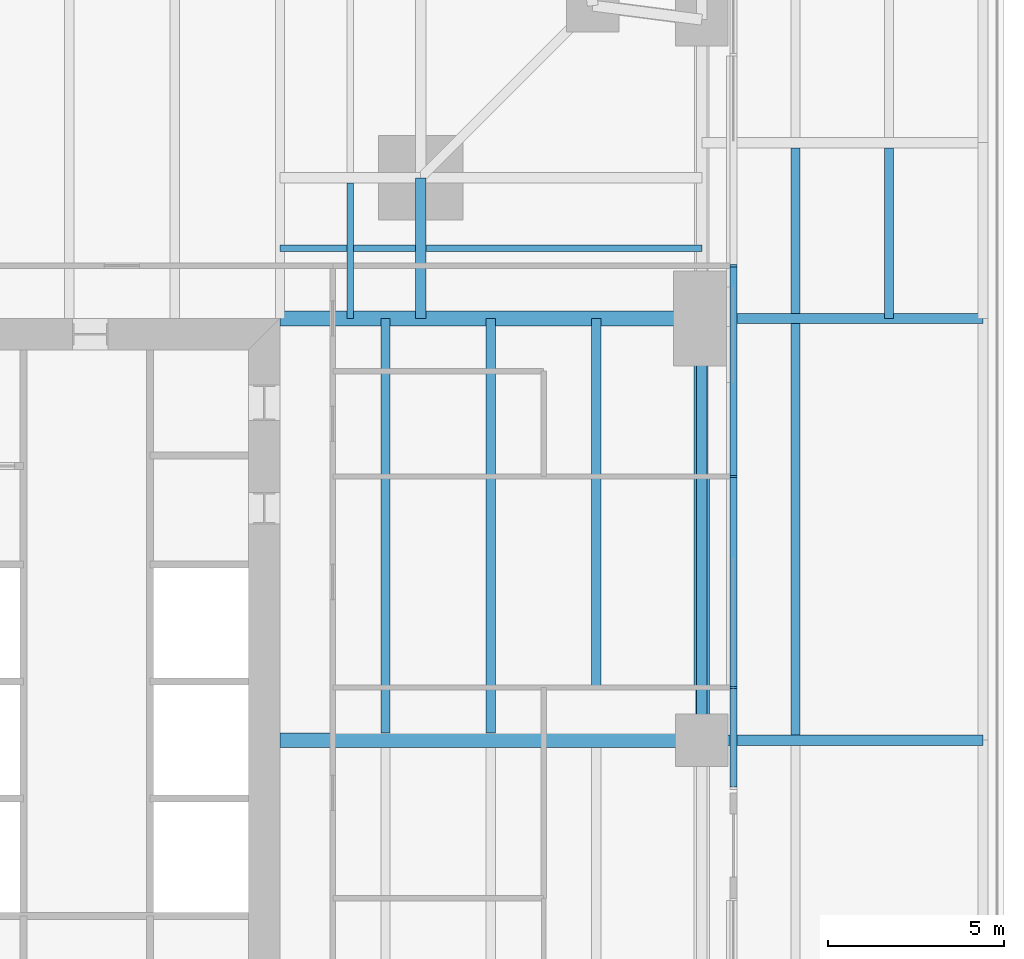
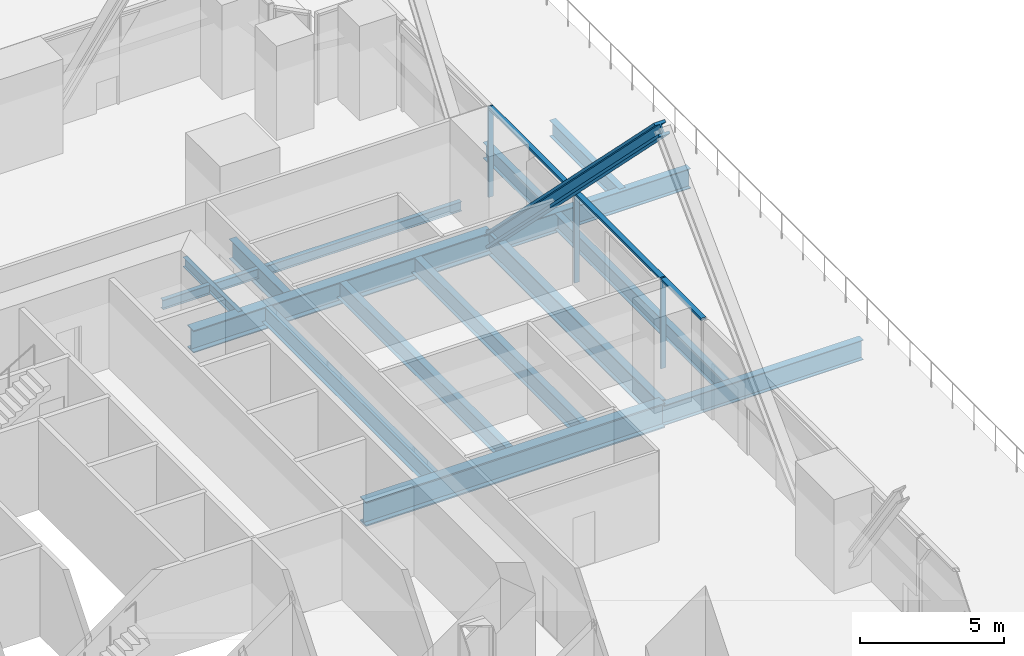
# One storey, part 8 of 21: 16 beams, 7 members, 1 element without a shape of its own.
"""IFC4 building model written with IfcOpenShell, lengths in metres."""

from ifc_helpers import new_model, si_unit, direction, frame, origin, origin_2d, place, context, subcontext, project, spatial, rectangle, i_section, extrude, material, material_profile, profile_set, type_object, element, aggregate, save


model = new_model("IFC4")

# Units and contexts
model_context = context("Model", 3, precision=1e-05, world=origin(), true_north=direction((0.0, 1.0)))
body_context = subcontext(model_context, "Body", "Model", "MODEL_VIEW")
ifc_project = project(units=[si_unit("LENGTHUNIT", "METRE"), si_unit("AREAUNIT", "SQUARE_METRE"), si_unit("VOLUMEUNIT", "CUBIC_METRE"), si_unit("PLANEANGLEUNIT", "RADIAN"), si_unit("MASSUNIT", "GRAM", prefix="KILO")], contexts=[model_context])

# Site, building, storey
site_placement = place(None, origin())
site = spatial("IfcSite", under=ifc_project, at=site_placement, CompositionType="ELEMENT")
building_placement = place(site_placement, origin())
building = spatial("IfcBuilding", under=site, at=building_placement, Name="Fenwick Lantern Interchange", CompositionType="ELEMENT")
storey_placement = place(building_placement, frame((0.0, 0.0, 31.0)))
storey = spatial("IfcBuildingStorey", under=building, at=storey_placement, Name="L06", CompositionType="ELEMENT", Elevation=31.0)

# Beam
ifc_material_1 = material(Name="Steel ASTM A992 Grade 50", Category="steel")
ifc_material_profile_1 = material_profile(ifc_material_1, i_section(OverallWidth=0.309814453125, OverallDepth=0.949951171875, WebThickness=0.0244140625, FlangeThickness=0.0439453125, at=origin_2d()), Name="W36X256")
ifc_profile_set_1 = profile_set([ifc_material_profile_1], Name="Steel ASTM A992 Grade 50")
beam_type_1 = type_object("IfcBeamType", Name="EDGE BEAM W36X256", PredefinedType="SPANDREL", material=ifc_profile_set_1)
beam_1_placement = place(storey_placement, frame((49.0, 25.0, -0.625), z_axis=(0.0, 1.0, 0.0), x_axis=(-1.0, 0.0, 0.0)))
element("IfcBeam", 1, at=beam_1_placement, inside=storey, type_object=beam_type_1, Name="L06/FR/E/EB3", PredefinedType="SPANDREL", context=body_context, shape_type="SweptSolid", body=[
    extrude(i_section(OverallWidth=0.309814453125, OverallDepth=0.949951171875, WebThickness=0.0244140625, FlangeThickness=0.0439453125, at=origin_2d()), origin(), (0.0, 0.0, 1.0), 12.0),
])

# Member
ifc_material_profile_2 = material_profile(ifc_material_1, i_section(OverallWidth=0.44189453125, OverallDepth=0.53076171875, WebThickness=0.06591796875, FlangeThickness=0.105712890625, at=origin_2d()), Name="W14X605")
ifc_profile_set_2 = profile_set([ifc_material_profile_2], Name="Steel ASTM A992 Grade 50")
member_type_1 = type_object("IfcMemberType", Name="FACADE BRACE W14X605", PredefinedType="BRACE", material=ifc_profile_set_2)
member_1_placement = place(storey_placement, frame((49.0, 37.0, -0.625), z_axis=(0.0, -0.706545945103, 0.707667172799), x_axis=(1.0, 0.0, 0.0)))
element("IfcMember", 2, at=member_1_placement, inside=storey, type_object=member_type_1, Name="L06/FB/E/B", PredefinedType="BRACE", context=body_context, shape_type="SweptSolid", body=[
    extrude(i_section(OverallWidth=0.44189453125, OverallDepth=0.53076171875, WebThickness=0.06591796875, FlangeThickness=0.105712890625, at=origin_2d()), origin(), (0.0, 0.0, 1.0), 16.984130859375),
])

# Beams
ifc_material_profile_3 = material_profile(ifc_material_1, i_section(OverallWidth=0.2666015625, OverallDepth=0.7568359375, WebThickness=0.013916015625, FlangeThickness=0.019287109375, at=origin_2d()), Name="W30X108")
ifc_profile_set_3 = profile_set([ifc_material_profile_3], Name="Steel ASTM A992 Grade 50")
beam_type_2 = type_object("IfcBeamType", Name="FLOOR BEAM W30X108", PredefinedType="BEAM", material=ifc_profile_set_3)
for number, where, z_axis, x_axis, name in (
    (3, (46.0, 25.20458984375, -0.528564453125), (0.0, 1.0, 0.0), (-1.0, 0.0, 0.0), "L06/FR/E/B04"),
    (4, (43.0, 25.20458984375, -0.528564453125), (0.0, 1.0, 0.0), (-1.0, 0.0, 0.0), "L06/FR/E/B05"),
    (5, (40.0, 25.20458984375, -0.528564453125), (0.0, 1.0, 0.0), (-1.0, 0.0, 0.0), "L06/FR/E/B06"),
):
    element("IfcBeam", number, at=place(storey_placement, frame(where, z_axis=z_axis, x_axis=x_axis)), inside=storey, type_object=beam_type_2, Name=name, PredefinedType="BEAM", context=body_context, shape_type="SweptSolid", body=[
        extrude(i_section(OverallWidth=0.2666015625, OverallDepth=0.7568359375, WebThickness=0.013916015625, FlangeThickness=0.019287109375, at=origin_2d()), origin(), (0.0, 0.0, 1.0), 11.79541015625),
    ])
ifc_material_profile_4 = material_profile(ifc_material_1, i_section(OverallWidth=0.177734375, OverallDepth=0.406494140625, WebThickness=0.0078125, FlangeThickness=0.012939453125, at=origin_2d()), Name="W16X40")
ifc_profile_set_4 = profile_set([ifc_material_profile_4], Name="Steel ASTM A992 Grade 50")
beam_type_3 = type_object("IfcBeamType", Name="INFILL BEAM W16X40", PredefinedType="JOIST", material=ifc_profile_set_4)
beam_2_placement = place(storey_placement, frame((39.0, 40.85400390625, -0.353271484375), z_axis=(0.0, -1.0, 0.0), x_axis=(1.0, 0.0, 0.0)))
element("IfcBeam", 6, at=beam_2_placement, inside=storey, type_object=beam_type_3, Name="L06/FR/N/J2", PredefinedType="JOIST", context=body_context, shape_type="SweptSolid", body=[
    extrude(i_section(OverallWidth=0.177734375, OverallDepth=0.406494140625, WebThickness=0.0078125, FlangeThickness=0.012939453125, at=origin_2d()), origin(), (0.0, 0.0, 1.0), 3.85400390625),
])
beam_3_placement = place(storey_placement, frame((49.0, 39.0, -0.353271484375), z_axis=(-1.0, 0.0, 0.0), x_axis=(0.0, -1.0, 0.0)))
element("IfcBeam", 7, at=beam_3_placement, inside=storey, type_object=beam_type_3, Name="L06/FR/N/J3", PredefinedType="JOIST", context=body_context, shape_type="SweptSolid", body=[
    extrude(i_section(OverallWidth=0.177734375, OverallDepth=0.406494140625, WebThickness=0.0078125, FlangeThickness=0.012939453125, at=origin_2d()), origin(), (0.0, 0.0, 1.0), 7.85400390625),
])
beam_4_placement = place(storey_placement, frame((40.85400390625, 39.0, -0.353271484375), z_axis=(-1.0, 0.0, 0.0), x_axis=(0.0, -1.0, 0.0)))
element("IfcBeam", 8, at=beam_4_placement, inside=storey, type_object=beam_type_3, Name="L06/FR/N/J4", PredefinedType="JOIST", context=body_context, shape_type="SweptSolid", body=[
    extrude(i_section(OverallWidth=0.177734375, OverallDepth=0.406494140625, WebThickness=0.0078125, FlangeThickness=0.012939453125, at=origin_2d()), origin(), (0.0, 0.0, 1.0), 1.76513671875),
])
beam_5_placement = place(storey_placement, frame((38.9111328125, 39.0, -0.353271484375), z_axis=(-1.0, 0.0, 0.0), x_axis=(0.0, -1.0, 0.0)))
element("IfcBeam", 9, at=beam_5_placement, inside=storey, type_object=beam_type_3, Name="L06/FR/N/J5", PredefinedType="JOIST", context=body_context, shape_type="SweptSolid", body=[
    extrude(i_section(OverallWidth=0.177734375, OverallDepth=0.406494140625, WebThickness=0.0078125, FlangeThickness=0.012939453125, at=origin_2d()), origin(), (0.0, 0.0, 1.0), 1.9111328125),
])
ifc_material_profile_5 = material_profile(ifc_material_1, i_section(OverallWidth=0.2919921875, OverallDepth=0.845703125, WebThickness=0.015380859375, FlangeThickness=0.0244140625, at=origin_2d()), Name="W33X141")
ifc_profile_set_5 = profile_set([ifc_material_profile_5], Name="Steel ASTM A992 Grade 50")
beam_type_4 = type_object("IfcBeamType", Name="MEGA COLUMN BEAM W33X141", PredefinedType="BEAM", material=ifc_profile_set_5)
beam_6_placement = place(storey_placement, frame((41.0, 41.0, -0.572998046875), z_axis=(0.0, -1.0, 0.0), x_axis=(1.0, 0.0, 0.0)))
element("IfcBeam", 10, at=beam_6_placement, inside=storey, type_object=beam_type_4, Name="L06/FR/N/MB4", PredefinedType="BEAM", context=body_context, shape_type="SweptSolid", body=[
    extrude(i_section(OverallWidth=0.2919921875, OverallDepth=0.845703125, WebThickness=0.015380859375, FlangeThickness=0.0244140625, at=origin_2d()), origin(), (0.0, 0.0, 1.0), 4.0),
])
ifc_material_profile_6 = material_profile(ifc_material_1, i_section(OverallWidth=0.424072265625, OverallDepth=0.947509765625, WebThickness=0.02392578125, FlangeThickness=0.042724609375, at=origin_2d()), Name="W36X302")
ifc_profile_set_6 = profile_set([ifc_material_profile_6], Name="Steel ASTM A992 Grade 50")
beam_type_5 = type_object("IfcBeamType", Name="MOMENT-CONNECTED GIRDER W36X302", PredefinedType="BEAM", material=ifc_profile_set_6)
beam_7_placement = place(storey_placement, frame((49.0, 37.0, -0.623779296875), z_axis=(-1.0, 0.0, 0.0), x_axis=(0.0, -1.0, 0.0)))
element("IfcBeam", 11, at=beam_7_placement, inside=storey, type_object=beam_type_5, Name="L06/FR/E/R03", PredefinedType="BEAM", context=body_context, shape_type="SweptSolid", body=[
    extrude(i_section(OverallWidth=0.424072265625, OverallDepth=0.947509765625, WebThickness=0.02392578125, FlangeThickness=0.042724609375, at=origin_2d()), origin(), (0.0, 0.0, 1.0), 12.0),
])
ifc_material_profile_7 = material_profile(ifc_material_1, i_section(OverallWidth=0.408935546875, OverallDepth=1.04150390625, WebThickness=0.031005859375, FlangeThickness=0.055908203125, at=origin_2d()), Name="W40X397")
ifc_profile_set_7 = profile_set([ifc_material_profile_7], Name="Steel ASTM A992 Grade 50")
beam_type_6 = type_object("IfcBeamType", Name="MOMENT-CONNECTED GIRDER W40X397", PredefinedType="BEAM", material=ifc_profile_set_7)
beam_8_placement = place(storey_placement, frame((49.0, 25.0, -0.670654296875), z_axis=(-1.0, 0.0, 0.0), x_axis=(0.0, -1.0, 0.0)))
element("IfcBeam", 12, at=beam_8_placement, inside=storey, type_object=beam_type_6, Name="L06/FR/E/R02", PredefinedType="BEAM", context=body_context, shape_type="SweptSolid", body=[
    extrude(i_section(OverallWidth=0.408935546875, OverallDepth=1.04150390625, WebThickness=0.031005859375, FlangeThickness=0.055908203125, at=origin_2d()), origin(), (0.0, 0.0, 1.0), 12.0),
])
ifc_material_profile_8 = material_profile(ifc_material_1, i_section(OverallWidth=0.2919921875, OverallDepth=0.845703125, WebThickness=0.015380859375, FlangeThickness=0.0244140625, at=origin_2d()), Name="W33X141")
ifc_profile_set_8 = profile_set([ifc_material_profile_8], Name="Steel ASTM A992 Grade 50")
beam_type_7 = type_object("IfcBeamType", Name="MOMENT-CONNECTED PODIUM GIRDER W33X141", PredefinedType="BEAM", material=ifc_profile_set_8)
for number, where, z_axis, x_axis, name in (
    (13, (49.0, 25.0, -0.722900390625), (1.0, 0.0, 0.0), (0.0, 1.0, 0.0), "L06/PF/G018"),
    (14, (49.0, 37.0, -0.722900390625), (1.0, 0.0, 0.0), (0.0, 1.0, 0.0), "L06/PF/G020"),
):
    element("IfcBeam", number, at=place(storey_placement, frame(where, z_axis=z_axis, x_axis=x_axis)), inside=storey, type_object=beam_type_7, Name=name, PredefinedType="BEAM", context=body_context, shape_type="SweptSolid", body=[
        extrude(i_section(OverallWidth=0.2919921875, OverallDepth=0.845703125, WebThickness=0.015380859375, FlangeThickness=0.0244140625, at=origin_2d()), origin(), (0.0, 0.0, 1.0), 8.0),
    ])

# Curtain wall, members
ifc_material_2 = material(Name="Aluminium curtain wall frame", Category="aluminium")
curtain_wall_type = type_object("IfcCurtainWallType", Name="OFFICE CURTAIN WALL", PredefinedType="USERDEFINED", material=ifc_material_2)
curtain_wall_placement = place(storey_placement, origin())
curtain_wall = element("IfcCurtainWall", 15, at=curtain_wall_placement, inside=storey, type_object=curtain_wall_type, Name="Office curtain wall 05B", ObjectType="OFFICE CURTAIN WALL", PredefinedType="USERDEFINED")
ifc_material_3 = material(Name="Aluminium extrusion", Category="aluminium")
ifc_material_profile_9 = material_profile(ifc_material_3, rectangle(XDim=0.199951171875, YDim=0.06494140625, at=origin_2d()), Name="OFFICE CURTAIN WALL MULLION 65 X 200")
ifc_profile_set_9 = profile_set([ifc_material_profile_9], Name="Aluminium extrusion")
member_type_2 = type_object("IfcMemberType", Name="OFFICE CURTAIN WALL MULLION 65 X 200", PredefinedType="MULLION", material=ifc_profile_set_9)
member_2_placement = place(storey_placement, frame((49.89990234375, 26.5, 0.0), z_axis=(0.0, 0.0, 1.0), x_axis=(-1.0, 0.0, 0.0)))
member_2 = element("IfcMember", 16, at=member_2_placement, type_object=member_type_2, Name="L06/CW/05B/M01", PredefinedType="MULLION", context=body_context, shape_type="SweptSolid", body=[
    extrude(rectangle(XDim=0.199951171875, YDim=0.06494140625, at=origin_2d()), origin(), (0.0, 0.0, 1.0), 3.85009765625),
])
member_3_placement = place(storey_placement, frame((49.89990234375, 32.5, 0.0), z_axis=(0.0, 0.0, 1.0), x_axis=(-1.0, 0.0, 0.0)))
member_3 = element("IfcMember", 17, at=member_3_placement, type_object=member_type_2, Name="L06/CW/05B/M02", PredefinedType="MULLION", context=body_context, shape_type="SweptSolid", body=[
    extrude(rectangle(XDim=0.199951171875, YDim=0.06494140625, at=origin_2d()), origin(), (0.0, 0.0, 1.0), 3.85009765625),
])
member_4_placement = place(storey_placement, frame((49.89990234375, 38.5, 0.0), z_axis=(0.0, 0.0, 1.0), x_axis=(-1.0, 0.0, 0.0)))
member_4 = element("IfcMember", 18, at=member_4_placement, type_object=member_type_2, Name="L06/CW/05B/M03", PredefinedType="MULLION", context=body_context, shape_type="SweptSolid", body=[
    extrude(rectangle(XDim=0.199951171875, YDim=0.06494140625, at=origin_2d()), origin(), (0.0, 0.0, 1.0), 3.85009765625),
])
ifc_material_profile_10 = material_profile(ifc_material_3, rectangle(XDim=0.199951171875, YDim=0.10009765625, at=origin_2d()), Name="OFFICE CURTAIN WALL TRANSOM 100 X 200")
ifc_profile_set_10 = profile_set([ifc_material_profile_10], Name="Aluminium extrusion")
member_type_3 = type_object("IfcMemberType", Name="OFFICE CURTAIN WALL TRANSOM 100 X 200", PredefinedType="MULLION", material=ifc_profile_set_10)
member_5_placement = place(storey_placement, frame((49.89990234375, 23.6650390625, 3.800048828125), z_axis=(0.0, 1.0, 0.0), x_axis=(-1.0, 0.0, 0.0)))
member_5 = element("IfcMember", 19, at=member_5_placement, type_object=member_type_3, Name="L06/CW/05B/T00", PredefinedType="MULLION", context=body_context, shape_type="SweptSolid", body=[
    extrude(rectangle(XDim=0.199951171875, YDim=0.10009765625, at=origin_2d()), origin(), (0.0, 0.0, 1.0), 2.802490234375),
])
member_6_placement = place(storey_placement, frame((49.89990234375, 26.532470703125, 3.800048828125), z_axis=(0.0, 1.0, 0.0), x_axis=(-1.0, 0.0, 0.0)))
member_6 = element("IfcMember", 20, at=member_6_placement, type_object=member_type_3, Name="L06/CW/05B/T01", PredefinedType="MULLION", context=body_context, shape_type="SweptSolid", body=[
    extrude(rectangle(XDim=0.199951171875, YDim=0.10009765625, at=origin_2d()), origin(), (0.0, 0.0, 1.0), 5.93505859375),
])
member_7_placement = place(storey_placement, frame((49.89990234375, 32.532470703125, 3.800048828125), z_axis=(0.0, 1.0, 0.0), x_axis=(-1.0, 0.0, 0.0)))
member_7 = element("IfcMember", 21, at=member_7_placement, type_object=member_type_3, Name="L06/CW/05B/T02", PredefinedType="MULLION", context=body_context, shape_type="SweptSolid", body=[
    extrude(rectangle(XDim=0.199951171875, YDim=0.10009765625, at=origin_2d()), origin(), (0.0, 0.0, 1.0), 5.93505859375),
])
aggregate(curtain_wall, [member_2, member_3, member_4, member_5, member_6, member_7])

# Beams
ifc_material_profile_11 = material_profile(ifc_material_1, i_section(OverallWidth=0.25390625, OverallDepth=0.683349609375, WebThickness=0.012451171875, FlangeThickness=0.01904296875, at=origin_2d()), Name="W27X94")
ifc_profile_set_11 = profile_set([ifc_material_profile_11], Name="Steel ASTM A992 Grade 50")
beam_type_8 = type_object("IfcBeamType", Name="PODIUM BEAM W27X94", PredefinedType="JOIST", material=ifc_profile_set_11)
beam_9_placement = place(storey_placement, frame((51.666748046875, 25.14599609375, -0.6416015625), z_axis=(0.0, 1.0, 0.0), x_axis=(-1.0, 0.0, 0.0)))
element("IfcBeam", 22, at=beam_9_placement, inside=storey, type_object=beam_type_8, Name="L06/PF/J137", PredefinedType="JOIST", context=body_context, shape_type="SweptSolid", body=[
    extrude(i_section(OverallWidth=0.25390625, OverallDepth=0.683349609375, WebThickness=0.012451171875, FlangeThickness=0.01904296875, at=origin_2d()), origin(), (0.0, 0.0, 1.0), 11.7080078125),
])
beam_10_placement = place(storey_placement, frame((51.666748046875, 37.14599609375, -0.6416015625), z_axis=(0.0, 1.0, 0.0), x_axis=(-1.0, 0.0, 0.0)))
element("IfcBeam", 23, at=beam_10_placement, inside=storey, type_object=beam_type_8, Name="L06/PF/J138", PredefinedType="JOIST", context=body_context, shape_type="SweptSolid", body=[
    extrude(i_section(OverallWidth=0.25390625, OverallDepth=0.683349609375, WebThickness=0.012451171875, FlangeThickness=0.01904296875, at=origin_2d()), origin(), (0.0, 0.0, 1.0), 4.7080078125),
])
beam_11_placement = place(storey_placement, frame((54.333251953125, 37.0, -0.6416015625), z_axis=(0.0, 1.0, 0.0), x_axis=(-1.0, 0.0, 0.0)))
element("IfcBeam", 24, at=beam_11_placement, inside=storey, type_object=beam_type_8, Name="L06/PF/J139", PredefinedType="JOIST", context=body_context, shape_type="SweptSolid", body=[
    extrude(i_section(OverallWidth=0.25390625, OverallDepth=0.683349609375, WebThickness=0.012451171875, FlangeThickness=0.01904296875, at=origin_2d()), origin(), (0.0, 0.0, 1.0), 4.85400390625),
])

save(model, "model.ifc")
